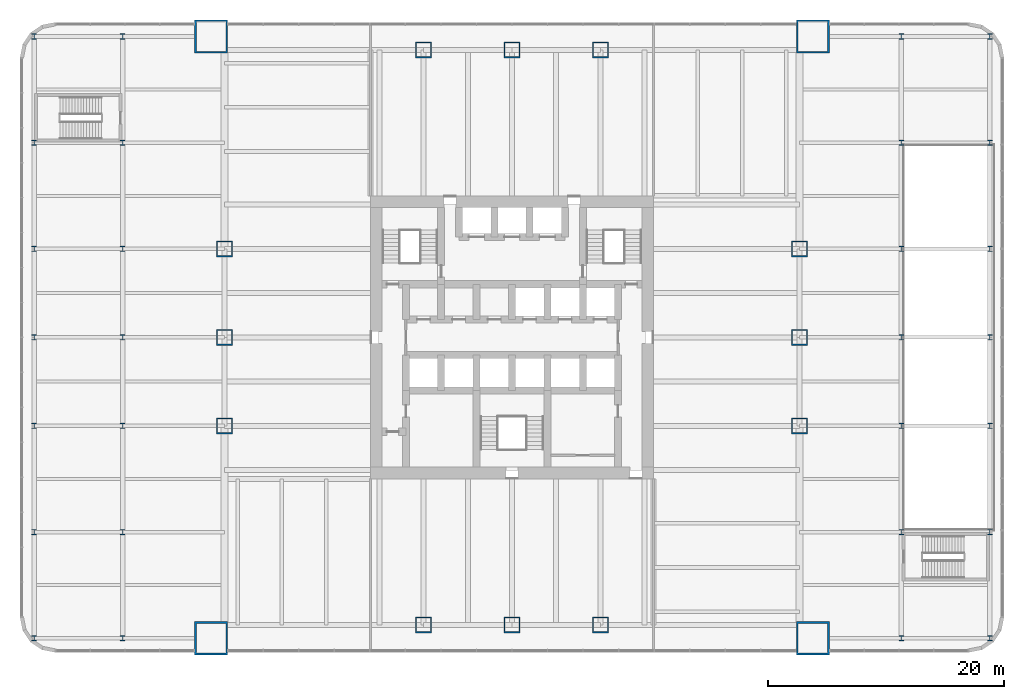
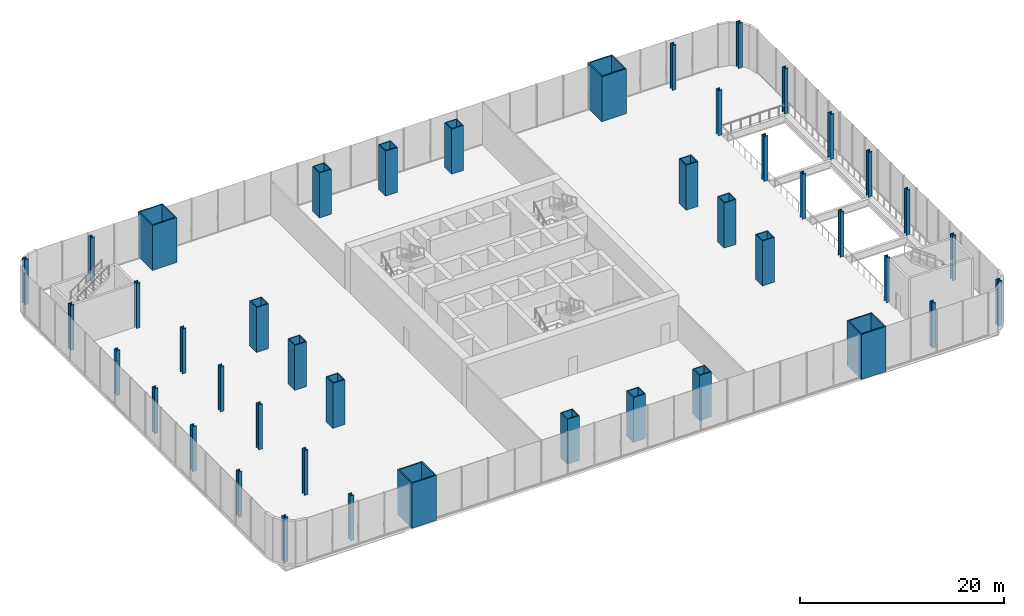
# One storey, part 1 of 16: 44 columns.
"""IFC4 building model written with IfcOpenShell, lengths in metres."""

from ifc_helpers import new_model, si_unit, direction, frame, origin, origin_2d, place, context, subcontext, project, spatial, hollow_rectangle, i_section, extrude, material, material_profile, profile_set, type_object, element, save


model = new_model("IFC4")

# Units and contexts
model_context = context("Model", 3, precision=1e-05, world=origin(), true_north=direction((0.0, 1.0)))
body_context = subcontext(model_context, "Body", "Model", "MODEL_VIEW")
ifc_project = project(units=[si_unit("LENGTHUNIT", "METRE"), si_unit("AREAUNIT", "SQUARE_METRE"), si_unit("VOLUMEUNIT", "CUBIC_METRE"), si_unit("PLANEANGLEUNIT", "RADIAN"), si_unit("MASSUNIT", "GRAM", prefix="KILO")], contexts=[model_context])

# Site, building, storey
site_placement = place(None, origin())
site = spatial("IfcSite", under=ifc_project, at=site_placement, CompositionType="ELEMENT")
building_placement = place(site_placement, origin())
building = spatial("IfcBuilding", under=site, at=building_placement, Name="Tarangal Relay Tower", CompositionType="ELEMENT")
storey_placement = place(building_placement, frame((0.0, 0.0, 7.199951171875)))
storey = spatial("IfcBuildingStorey", under=building, at=storey_placement, Name="L01", CompositionType="ELEMENT", Elevation=7.199951171875)

# Columns
ifc_material_1 = material(Name="Steel ASTM A572 Grade 42", Category="steel")
ifc_material_profile_1 = material_profile(ifc_material_1, hollow_rectangle(XDim=2.800048828125, YDim=2.800048828125, WallThickness=0.139892578125, at=origin_2d()), Name="BOX2800X2800X140")
ifc_profile_set_1 = profile_set([ifc_material_profile_1], Name="Steel ASTM A572 Grade 42")
column_type_1 = type_object("IfcColumnType", Name="Mega column BOX2800X2800X140", PredefinedType="COLUMN", material=ifc_profile_set_1)
for number, where, z_axis, x_axis, name in (
    (1, (25.5, 25.5, 0.0), (0.0, 0.0, 1.0), (1.0, 0.0, 0.0), "Mega column MC1 NE L01"),
    (2, (25.5, -25.5, 0.0), (0.0, 0.0, 1.0), (1.0, 0.0, 0.0), "Mega column MC1 SE L01"),
    (3, (-25.5, -25.5, 0.0), (0.0, 0.0, 1.0), (1.0, 0.0, 0.0), "Mega column MC1 SW L01"),
    (4, (-25.5, 25.5, 0.0), (0.0, 0.0, 1.0), (1.0, 0.0, 0.0), "Mega column MC1 NW L01"),
):
    element("IfcColumn", number, at=place(storey_placement, frame(where, z_axis=z_axis, x_axis=x_axis)), inside=storey, type_object=column_type_1, Name=name, PredefinedType="COLUMN", context=body_context, shape_type="SweptSolid", body=[
        extrude(hollow_rectangle(XDim=2.800048828125, YDim=2.800048828125, WallThickness=0.139892578125, at=origin_2d()), origin(), (0.0, 0.0, 1.0), 5.400146484375),
    ])
ifc_material_2 = material(Name="Steel ASTM A572 Grade 50", Category="steel")
ifc_material_profile_2 = material_profile(ifc_material_2, hollow_rectangle(XDim=1.35009765625, YDim=1.35009765625, WallThickness=0.10009765625, at=origin_2d()), Name="BOX1350X1350X100")
ifc_profile_set_2 = profile_set([ifc_material_profile_2], Name="Steel ASTM A572 Grade 50")
column_type_2 = type_object("IfcColumnType", Name="Perimeter column BOX1350X1350X100", PredefinedType="COLUMN", material=ifc_profile_set_2)
for number, where, z_axis, x_axis, name in (
    (5, (-7.5, 24.364990234375, 0.0), (0.0, 0.0, 1.0), (1.0, 0.0, 0.0), "Perimeter column PC1 N L01"),
    (6, (0.0, 24.364990234375, 0.0), (0.0, 0.0, 1.0), (1.0, 0.0, 0.0), "Perimeter column PC1 N L01"),
    (7, (7.5, 24.364990234375, 0.0), (0.0, 0.0, 1.0), (1.0, 0.0, 0.0), "Perimeter column PC1 N L01"),
    (8, (24.364990234375, 7.5, 0.0), (0.0, 0.0, 1.0), (1.0, 0.0, 0.0), "Perimeter column PC1 E L01"),
    (9, (24.364990234375, 0.0, 0.0), (0.0, 0.0, 1.0), (1.0, 0.0, 0.0), "Perimeter column PC1 E L01"),
    (10, (24.364990234375, -7.5, 0.0), (0.0, 0.0, 1.0), (1.0, 0.0, 0.0), "Perimeter column PC1 E L01"),
    (11, (7.5, -24.364990234375, 0.0), (0.0, 0.0, 1.0), (1.0, 0.0, 0.0), "Perimeter column PC1 S L01"),
    (12, (0.0, -24.364990234375, 0.0), (0.0, 0.0, 1.0), (1.0, 0.0, 0.0), "Perimeter column PC1 S L01"),
    (13, (-7.5, -24.364990234375, 0.0), (0.0, 0.0, 1.0), (1.0, 0.0, 0.0), "Perimeter column PC1 S L01"),
    (14, (-24.364990234375, -7.5, 0.0), (0.0, 0.0, 1.0), (1.0, 0.0, 0.0), "Perimeter column PC1 W L01"),
    (15, (-24.364990234375, 0.0, 0.0), (0.0, 0.0, 1.0), (1.0, 0.0, 0.0), "Perimeter column PC1 W L01"),
    (16, (-24.364990234375, 7.5, 0.0), (0.0, 0.0, 1.0), (1.0, 0.0, 0.0), "Perimeter column PC1 W L01"),
):
    element("IfcColumn", number, at=place(storey_placement, frame(where, z_axis=z_axis, x_axis=x_axis)), inside=storey, type_object=column_type_2, Name=name, PredefinedType="COLUMN", context=body_context, shape_type="SweptSolid", body=[
        extrude(hollow_rectangle(XDim=1.35009765625, YDim=1.35009765625, WallThickness=0.10009765625, at=origin_2d()), origin(), (0.0, 0.0, 1.0), 5.400146484375),
    ])
ifc_material_3 = material(Name="Steel ASTM A992", Category="steel")
ifc_material_profile_3 = material_profile(ifc_material_3, i_section(OverallWidth=0.42431640625, OverallDepth=0.47509765625, WebThickness=0.0478515625, FlangeThickness=0.0771484375, at=origin_2d()), Name="W14X426")
ifc_profile_set_3 = profile_set([ifc_material_profile_3], Name="Steel ASTM A992")
column_type_3 = type_object("IfcColumnType", Name="Podium column W14X426", PredefinedType="COLUMN", material=ifc_profile_set_3)
for number, where, z_axis, x_axis, name in (
    (17, (-33.0, -25.5, 0.0), (0.0, 0.0, 1.0), (1.0, 0.0, 0.0), "Podium column PW1 L01"),
    (18, (-33.0, -16.5, 0.0), (0.0, 0.0, 1.0), (1.0, 0.0, 0.0), "Podium column PW1 L01"),
    (19, (-33.0, -7.5, 0.0), (0.0, 0.0, 1.0), (1.0, 0.0, 0.0), "Podium column PW1 L01"),
    (20, (-33.0, 0.0, 0.0), (0.0, 0.0, 1.0), (1.0, 0.0, 0.0), "Podium column PW1 L01"),
    (21, (-33.0, 7.5, 0.0), (0.0, 0.0, 1.0), (1.0, 0.0, 0.0), "Podium column PW1 L01"),
    (22, (-33.0, 16.5, 0.0), (0.0, 0.0, 1.0), (1.0, 0.0, 0.0), "Podium column PW1 L01"),
    (23, (-33.0, 25.5, 0.0), (0.0, 0.0, 1.0), (1.0, 0.0, 0.0), "Podium column PW1 L01"),
    (24, (-40.5, -25.5, 0.0), (0.0, 0.0, 1.0), (1.0, 0.0, 0.0), "Podium column PW1 L01"),
    (25, (-40.5, -16.5, 0.0), (0.0, 0.0, 1.0), (1.0, 0.0, 0.0), "Podium column PW1 L01"),
    (26, (-40.5, -7.5, 0.0), (0.0, 0.0, 1.0), (1.0, 0.0, 0.0), "Podium column PW1 L01"),
    (27, (-40.5, 0.0, 0.0), (0.0, 0.0, 1.0), (1.0, 0.0, 0.0), "Podium column PW1 L01"),
    (28, (-40.5, 7.5, 0.0), (0.0, 0.0, 1.0), (1.0, 0.0, 0.0), "Podium column PW1 L01"),
    (29, (-40.5, 16.5, 0.0), (0.0, 0.0, 1.0), (1.0, 0.0, 0.0), "Podium column PW1 L01"),
    (30, (-40.5, 25.5, 0.0), (0.0, 0.0, 1.0), (1.0, 0.0, 0.0), "Podium column PW1 L01"),
    (31, (33.0, -25.5, 0.0), (0.0, 0.0, 1.0), (1.0, 0.0, 0.0), "Podium column PW1 L01"),
    (32, (33.0, -16.5, 0.0), (0.0, 0.0, 1.0), (1.0, 0.0, 0.0), "Podium column PW1 L01"),
    (33, (33.0, -7.5, 0.0), (0.0, 0.0, 1.0), (1.0, 0.0, 0.0), "Podium column PW1 L01"),
    (34, (33.0, 0.0, 0.0), (0.0, 0.0, 1.0), (1.0, 0.0, 0.0), "Podium column PW1 L01"),
    (35, (33.0, 7.5, 0.0), (0.0, 0.0, 1.0), (1.0, 0.0, 0.0), "Podium column PW1 L01"),
    (36, (33.0, 16.5, 0.0), (0.0, 0.0, 1.0), (1.0, 0.0, 0.0), "Podium column PW1 L01"),
    (37, (33.0, 25.5, 0.0), (0.0, 0.0, 1.0), (1.0, 0.0, 0.0), "Podium column PW1 L01"),
    (38, (40.5, -25.5, 0.0), (0.0, 0.0, 1.0), (1.0, 0.0, 0.0), "Podium column PW1 L01"),
    (39, (40.5, -16.5, 0.0), (0.0, 0.0, 1.0), (1.0, 0.0, 0.0), "Podium column PW1 L01"),
    (40, (40.5, -7.5, 0.0), (0.0, 0.0, 1.0), (1.0, 0.0, 0.0), "Podium column PW1 L01"),
    (41, (40.5, 0.0, 0.0), (0.0, 0.0, 1.0), (1.0, 0.0, 0.0), "Podium column PW1 L01"),
    (42, (40.5, 7.5, 0.0), (0.0, 0.0, 1.0), (1.0, 0.0, 0.0), "Podium column PW1 L01"),
    (43, (40.5, 16.5, 0.0), (0.0, 0.0, 1.0), (1.0, 0.0, 0.0), "Podium column PW1 L01"),
    (44, (40.5, 25.5, 0.0), (0.0, 0.0, 1.0), (1.0, 0.0, 0.0), "Podium column PW1 L01"),
):
    element("IfcColumn", number, at=place(storey_placement, frame(where, z_axis=z_axis, x_axis=x_axis)), inside=storey, type_object=column_type_3, Name=name, PredefinedType="COLUMN", context=body_context, shape_type="SweptSolid", body=[
        extrude(i_section(OverallWidth=0.42431640625, OverallDepth=0.47509765625, WebThickness=0.0478515625, FlangeThickness=0.0771484375, at=origin_2d()), origin(), (0.0, 0.0, 1.0), 5.400146484375),
    ])

save(model, "model.ifc")
